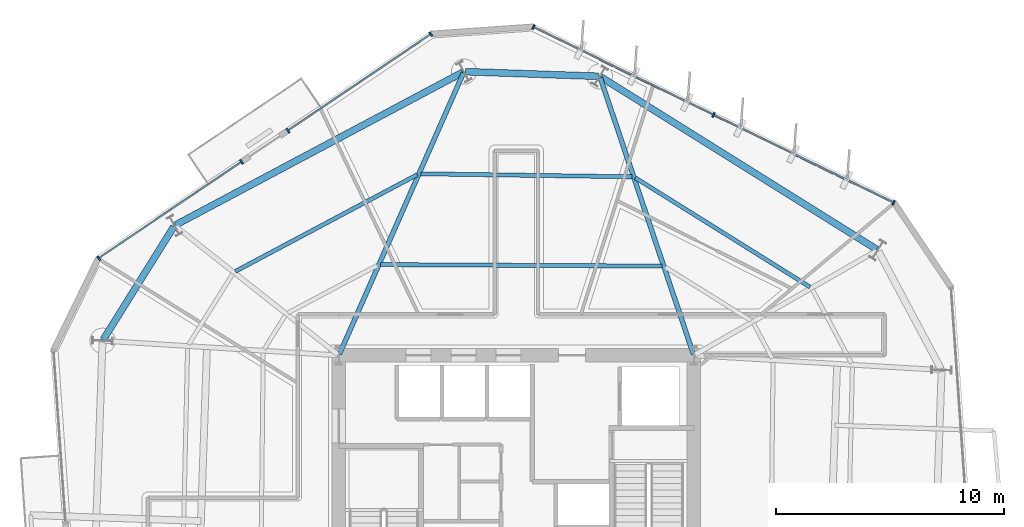
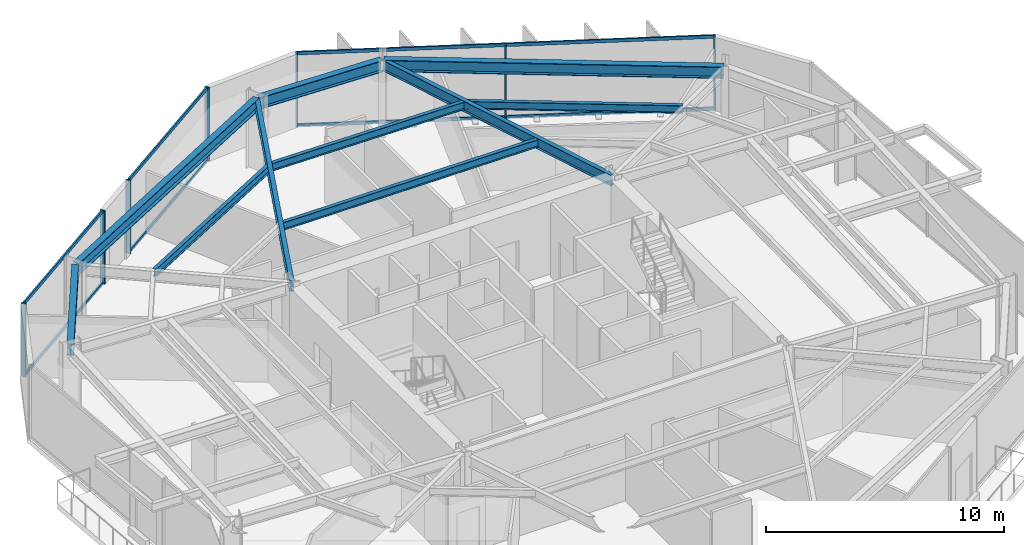
# One storey, part 5 of 14: 15 members, 10 beams, 3 elements without a shape of their own.
"""IFC4 building model written with IfcOpenShell, lengths in metres."""

from ifc_helpers import new_model, si_unit, direction, frame, origin, origin_2d, place, context, subcontext, project, spatial, rectangle, i_section, extrude, material, layer, layer_set, material_profile, profile_set, type_object, element, aggregate, save


model = new_model("IFC4")

# Units and contexts
model_context = context("Model", 3, precision=1e-05, world=origin(), true_north=direction((0.0, 1.0)))
body_context = subcontext(model_context, "Body", "Model", "MODEL_VIEW")
ifc_project = project(units=[si_unit("LENGTHUNIT", "METRE"), si_unit("AREAUNIT", "SQUARE_METRE"), si_unit("VOLUMEUNIT", "CUBIC_METRE"), si_unit("PLANEANGLEUNIT", "RADIAN"), si_unit("MASSUNIT", "GRAM", prefix="KILO")], contexts=[model_context])

# Site, building, storey
site_placement = place(None, origin())
site = spatial("IfcSite", under=ifc_project, at=site_placement, CompositionType="ELEMENT")
building_placement = place(site_placement, origin())
building = spatial("IfcBuilding", under=site, at=building_placement, Name="Kranzbogen Civic Tower", CompositionType="ELEMENT")
storey_placement = place(building_placement, frame((0.0, 0.0, 158.39990234375)))
storey = spatial("IfcBuildingStorey", under=building, at=storey_placement, Name="L38", CompositionType="ELEMENT", Elevation=158.39990234375)

# Curtain wall, members
ifc_material_1 = material(Name="Pale Anodised Aluminium", Category="aluminium")
ifc_layer = layer(ifc_material_1, 0.219970703125, Name="Pale Anodised Aluminium")
ifc_layer_set = layer_set([ifc_layer], Name="Pale Anodised Aluminium")
curtain_wall_type = type_object("IfcCurtainWallType", Name="Zone 2 Stick Curtain Wall System CW-03", PredefinedType="USERDEFINED", material=ifc_layer_set)
curtain_wall_1_placement = place(storey_placement, origin())
curtain_wall_1 = element("IfcCurtainWall", 1, at=curtain_wall_1_placement, inside=storey, type_object=curtain_wall_type, Name="L38 curtain wall CW-L38-F1", ObjectType="STICK CURTAIN WALL", PredefinedType="USERDEFINED")
ifc_material_profile_1 = material_profile(ifc_material_1, rectangle(XDim=0.074951171875, YDim=0.219970703125, at=origin_2d()), Name="ALU-M 75x220")
ifc_profile_set_1 = profile_set([ifc_material_profile_1], Name="Pale Anodised Aluminium")
member_type_1 = type_object("IfcMemberType", Name="Curtain Wall Mullion ALU-M 75x220", PredefinedType="MULLION", material=ifc_profile_set_1)
member_1_placement = place(storey_placement, frame((41.5810546875, 38.9111328125, 0.0), z_axis=(0.0, 0.0, 1.0), x_axis=(-0.8987869382, 0.438385720252, 0.0)))
member_1 = element("IfcMember", 2, at=member_1_placement, type_object=member_type_1, Name="CW-03 mullion 1", PredefinedType="MULLION", context=body_context, shape_type="SweptSolid", body=[
    extrude(rectangle(XDim=0.074951171875, YDim=0.219970703125, at=origin_2d()), origin(), (0.0, 0.0, 1.0), 3.760009765625),
])
member_2_placement = place(storey_placement, frame((33.66748046875, 42.77099609375, 0.0), z_axis=(0.0, 0.0, 1.0), x_axis=(-0.8987869382, 0.438385720252, 0.0)))
member_2 = element("IfcMember", 3, at=member_2_placement, type_object=member_type_1, Name="CW-03 mullion 2", PredefinedType="MULLION", context=body_context, shape_type="SweptSolid", body=[
    extrude(rectangle(XDim=0.074951171875, YDim=0.219970703125, at=origin_2d()), origin(), (0.0, 0.0, 1.0), 3.760009765625),
])
member_3_placement = place(storey_placement, frame((25.75390625, 46.630859375, 0.0), z_axis=(0.0, 0.0, 1.0), x_axis=(-0.8987869382, 0.438385720252, 0.0)))
member_3 = element("IfcMember", 4, at=member_3_placement, type_object=member_type_1, Name="CW-03 mullion 3", PredefinedType="MULLION", context=body_context, shape_type="SweptSolid", body=[
    extrude(rectangle(XDim=0.074951171875, YDim=0.219970703125, at=origin_2d()), origin(), (0.0, 0.0, 1.0), 3.760009765625),
])

curtain_wall_2_placement = place(storey_placement, origin())
curtain_wall_2 = element("IfcCurtainWall", 5, at=curtain_wall_2_placement, inside=storey, type_object=curtain_wall_type, Name="L38 curtain wall CW-L38-F2-S1", ObjectType="STICK CURTAIN WALL", PredefinedType="USERDEFINED")
member_4_placement = place(storey_placement, frame((21.2421875, 46.315185546875, 0.0), z_axis=(0.0, 0.0, 1.0), x_axis=(-0.829035410899, -0.559196108244, 0.0)))
member_4 = element("IfcMember", 6, at=member_4_placement, type_object=member_type_1, Name="CW-03 mullion 1", PredefinedType="MULLION", context=body_context, shape_type="SweptSolid", body=[
    extrude(rectangle(XDim=0.074951171875, YDim=0.219970703125, at=origin_2d()), origin(), (0.0, 0.0, 1.0), 3.760009765625),
])
member_5_placement = place(storey_placement, frame((14.962890625, 42.079833984375, 0.0), z_axis=(0.0, 0.0, 1.0), x_axis=(-0.829035410899, -0.559196108244, 0.0)))
member_5 = element("IfcMember", 7, at=member_5_placement, type_object=member_type_1, Name="CW-03 mullion 2", PredefinedType="MULLION", context=body_context, shape_type="SweptSolid", body=[
    extrude(rectangle(XDim=0.074951171875, YDim=0.219970703125, at=origin_2d()), origin(), (0.0, 0.0, 1.0), 3.760009765625),
])

curtain_wall_3_placement = place(storey_placement, origin())
curtain_wall_3 = element("IfcCurtainWall", 8, at=curtain_wall_3_placement, inside=storey, type_object=curtain_wall_type, Name="L38 curtain wall CW-L38-F2-S2", ObjectType="STICK CURTAIN WALL", PredefinedType="USERDEFINED")
member_6_placement = place(storey_placement, frame((12.924072265625, 40.704345703125, 0.0), z_axis=(0.0, 0.0, 1.0), x_axis=(-0.829035410899, -0.559196108244, 0.0)))
member_6 = element("IfcMember", 9, at=member_6_placement, type_object=member_type_1, Name="CW-03 mullion 1", PredefinedType="MULLION", context=body_context, shape_type="SweptSolid", body=[
    extrude(rectangle(XDim=0.074951171875, YDim=0.219970703125, at=origin_2d()), origin(), (0.0, 0.0, 1.0), 3.760009765625),
])
member_7_placement = place(storey_placement, frame((6.644775390625, 36.46875, 0.0), z_axis=(0.0, 0.0, 1.0), x_axis=(-0.829035410899, -0.559196108244, 0.0)))
member_7 = element("IfcMember", 10, at=member_7_placement, type_object=member_type_1, Name="CW-03 mullion 2", PredefinedType="MULLION", context=body_context, shape_type="SweptSolid", body=[
    extrude(rectangle(XDim=0.074951171875, YDim=0.219970703125, at=origin_2d()), origin(), (0.0, 0.0, 1.0), 3.760009765625),
])

# Member
ifc_material_profile_2 = material_profile(ifc_material_1, rectangle(XDim=0.074951171875, YDim=0.1650390625, at=origin_2d()), Name="ALU-T 75x165")
ifc_profile_set_2 = profile_set([ifc_material_profile_2], Name="Pale Anodised Aluminium")
member_type_2 = type_object("IfcMemberType", Name="Curtain Wall Transom ALU-T 75x165", PredefinedType="USERDEFINED", material=ifc_profile_set_2)
member_8_placement = place(storey_placement, frame((41.553955078125, 38.92431640625, 0.030029296875), z_axis=(-0.898784008077, 0.438391727597, 0.0), x_axis=(-0.438391727597, -0.898784008077, 0.0)))
member_8 = element("IfcMember", 11, at=member_8_placement, type_object=member_type_2, Name="CW-03 transom 1.1", ObjectType="TRANSOM", PredefinedType="USERDEFINED", context=body_context, shape_type="SweptSolid", body=[
    extrude(rectangle(XDim=0.074951171875, YDim=0.1650390625, at=origin_2d()), origin(), (0.0, 0.0, 1.0), 8.744384765625),
])

member_9_placement = place(storey_placement, frame((41.553955078125, 38.92431640625, 3.72998046875), z_axis=(-0.898784008077, 0.438391727597, 0.0), x_axis=(-0.438391727597, -0.898784008077, 0.0)))
member_9 = element("IfcMember", 12, at=member_9_placement, type_object=member_type_2, Name="CW-03 transom 1.2", ObjectType="TRANSOM", PredefinedType="USERDEFINED", context=body_context, shape_type="SweptSolid", body=[
    extrude(rectangle(XDim=0.074951171875, YDim=0.1650390625, at=origin_2d()), origin(), (0.0, 0.0, 1.0), 8.744384765625),
])

member_10_placement = place(storey_placement, frame((33.640625, 42.7841796875, 0.030029296875), z_axis=(-0.898789373645, 0.438380727021, 0.0), x_axis=(-0.438380727021, -0.898789373645, 0.0)))
member_10 = element("IfcMember", 13, at=member_10_placement, type_object=member_type_2, Name="CW-03 transom 2.1", ObjectType="TRANSOM", PredefinedType="USERDEFINED", context=body_context, shape_type="SweptSolid", body=[
    extrude(rectangle(XDim=0.074951171875, YDim=0.1650390625, at=origin_2d()), origin(), (0.0, 0.0, 1.0), 8.74462890625),
])

member_11_placement = place(storey_placement, frame((33.640625, 42.7841796875, 3.72998046875), z_axis=(-0.898789373645, 0.438380727021, 0.0), x_axis=(-0.438380727021, -0.898789373645, 0.0)))
member_11 = element("IfcMember", 14, at=member_11_placement, type_object=member_type_2, Name="CW-03 transom 2.2", ObjectType="TRANSOM", PredefinedType="USERDEFINED", context=body_context, shape_type="SweptSolid", body=[
    extrude(rectangle(XDim=0.074951171875, YDim=0.1650390625, at=origin_2d()), origin(), (0.0, 0.0, 1.0), 8.74462890625),
])

aggregate(curtain_wall_1, [member_1, member_2, member_3, member_8, member_9, member_10, member_11])

member_12_placement = place(storey_placement, frame((21.21728515625, 46.29833984375, 0.030029296875), z_axis=(-0.829033947243, -0.559198278179, 0.0), x_axis=(0.559198278179, -0.829033947243, 0.0)))
member_12 = element("IfcMember", 15, at=member_12_placement, type_object=member_type_2, Name="CW-03 transom 1.1", ObjectType="TRANSOM", PredefinedType="USERDEFINED", context=body_context, shape_type="SweptSolid", body=[
    extrude(rectangle(XDim=0.074951171875, YDim=0.1650390625, at=origin_2d()), origin(), (0.0, 0.0, 1.0), 7.51416015625),
])

member_13_placement = place(storey_placement, frame((21.21728515625, 46.29833984375, 3.72998046875), z_axis=(-0.829033947243, -0.559198278179, 0.0), x_axis=(0.559198278179, -0.829033947243, 0.0)))
member_13 = element("IfcMember", 16, at=member_13_placement, type_object=member_type_2, Name="CW-03 transom 1.2", ObjectType="TRANSOM", PredefinedType="USERDEFINED", context=body_context, shape_type="SweptSolid", body=[
    extrude(rectangle(XDim=0.074951171875, YDim=0.1650390625, at=origin_2d()), origin(), (0.0, 0.0, 1.0), 7.51416015625),
])

aggregate(curtain_wall_2, [member_4, member_5, member_12, member_13])

member_14_placement = place(storey_placement, frame((12.899169921875, 40.6875, 0.030029296875), z_axis=(-0.829033947243, -0.559198278179, 0.0), x_axis=(0.559198278179, -0.829033947243, 0.0)))
member_14 = element("IfcMember", 17, at=member_14_placement, type_object=member_type_2, Name="CW-03 transom 1.1", ObjectType="TRANSOM", PredefinedType="USERDEFINED", context=body_context, shape_type="SweptSolid", body=[
    extrude(rectangle(XDim=0.074951171875, YDim=0.1650390625, at=origin_2d()), origin(), (0.0, 0.0, 1.0), 7.51416015625),
])

member_15_placement = place(storey_placement, frame((12.899169921875, 40.6875, 3.72998046875), z_axis=(-0.829033947243, -0.559198278179, 0.0), x_axis=(0.559198278179, -0.829033947243, 0.0)))
member_15 = element("IfcMember", 18, at=member_15_placement, type_object=member_type_2, Name="CW-03 transom 1.2", ObjectType="TRANSOM", PredefinedType="USERDEFINED", context=body_context, shape_type="SweptSolid", body=[
    extrude(rectangle(XDim=0.074951171875, YDim=0.1650390625, at=origin_2d()), origin(), (0.0, 0.0, 1.0), 7.51416015625),
])

aggregate(curtain_wall_3, [member_6, member_7, member_14, member_15])

# Beams
ifc_material_2 = material(Name="Steel S355", Category="steel")
ifc_material_profile_3 = material_profile(ifc_material_2, i_section(OverallWidth=0.300048828125, OverallDepth=0.60009765625, WebThickness=0.015380859375, FlangeThickness=0.030029296875, at=origin_2d()), Name="HEB 600")
ifc_profile_set_3 = profile_set([ifc_material_profile_3], Name="Steel S355")
beam_type_1 = type_object("IfcBeamType", Name="Perimeter Tube Spandrel Beam HEB 600", PredefinedType="SPANDREL", material=ifc_profile_set_3)
beam_1_placement = place(storey_placement, frame((40.8349609375, 36.861083984375, 3.460205078125), z_axis=(-0.848051101349, 0.52991445489, 0.0), x_axis=(-0.52991445489, -0.848051101349, 0.0)))
element("IfcBeam", 19, at=beam_1_placement, inside=storey, type_object=beam_type_1, Name="L38 perimeter spandrel beam 08", PredefinedType="SPANDREL", context=body_context, shape_type="SweptSolid", body=[
    extrude(i_section(OverallWidth=0.300048828125, OverallDepth=0.60009765625, WebThickness=0.015380859375, FlangeThickness=0.030029296875, at=origin_2d()), origin(), (0.0, 0.0, 1.0), 14.286865234375),
])
beam_2_placement = place(storey_placement, frame((28.60791015625, 44.466064453125, 3.460205078125), z_axis=(-0.999393148233, 0.03483296234, 0.0), x_axis=(-0.03483296234, -0.999393148233, 0.0)))
element("IfcBeam", 20, at=beam_2_placement, inside=storey, type_object=beam_type_1, Name="L38 perimeter spandrel beam 09", PredefinedType="SPANDREL", context=body_context, shape_type="SweptSolid", body=[
    extrude(i_section(OverallWidth=0.300048828125, OverallDepth=0.60009765625, WebThickness=0.015380859375, FlangeThickness=0.030029296875, at=origin_2d()), origin(), (0.0, 0.0, 1.0), 5.8525390625),
])
beam_3_placement = place(storey_placement, frame((22.64599609375, 44.64404296875, 3.460205078125), z_axis=(-0.882948194046, -0.469470432116, 0.0), x_axis=(0.469470432116, -0.882948194046, 0.0)))
element("IfcBeam", 21, at=beam_3_placement, inside=storey, type_object=beam_type_1, Name="L38 perimeter spandrel beam 10", PredefinedType="SPANDREL", context=body_context, shape_type="SweptSolid", body=[
    extrude(i_section(OverallWidth=0.300048828125, OverallDepth=0.60009765625, WebThickness=0.015380859375, FlangeThickness=0.030029296875, at=origin_2d()), origin(), (0.0, 0.0, 1.0), 14.28857421875),
])
beam_4_placement = place(storey_placement, frame((9.945068359375, 37.85693359375, 3.460205078125), z_axis=(-0.529863902903, -0.848082687242, 0.0), x_axis=(0.848082687242, -0.529863902903, 0.0)))
element("IfcBeam", 22, at=beam_4_placement, inside=storey, type_object=beam_type_1, Name="L38 perimeter spandrel beam 11", PredefinedType="SPANDREL", context=body_context, shape_type="SweptSolid", body=[
    extrude(i_section(OverallWidth=0.300048828125, OverallDepth=0.60009765625, WebThickness=0.015380859375, FlangeThickness=0.030029296875, at=origin_2d()), origin(), (0.0, 0.0, 1.0), 5.850830078125),
])
ifc_material_profile_4 = material_profile(ifc_material_2, i_section(OverallWidth=0.2099609375, OverallDepth=0.550048828125, WebThickness=0.010986328125, FlangeThickness=0.01708984375, at=origin_2d()), Name="IPE 550")
ifc_profile_set_4 = profile_set([ifc_material_profile_4], Name="Steel S355")
beam_type_2 = type_object("IfcBeamType", Name="Radial Tower Floor Girder IPE 550", PredefinedType="BEAM", material=ifc_profile_set_4)
beam_5_placement = place(storey_placement, frame((28.68701171875, 44.406982421875, 3.485107421875), z_axis=(0.319316617377, -0.947648087566, 0.0), x_axis=(0.947648087566, 0.319316617377, 0.0)))
element("IfcBeam", 23, at=beam_5_placement, inside=storey, type_object=beam_type_2, Name="L38 radial floor girder 09", PredefinedType="BEAM", context=body_context, shape_type="SweptSolid", body=[
    extrude(i_section(OverallWidth=0.2099609375, OverallDepth=0.550048828125, WebThickness=0.010986328125, FlangeThickness=0.01708984375, at=origin_2d()), origin(), (0.0, 0.0, 1.0), 12.821044921875),
])
beam_6_placement = place(storey_placement, frame((22.675048828125, 44.616943359375, 3.485107421875), z_axis=(-0.403459127705, -0.914997667905, 0.0), x_axis=(0.914997667905, -0.403459127705, 0.0)))
element("IfcBeam", 24, at=beam_6_placement, inside=storey, type_object=beam_type_2, Name="L38 radial floor girder 10", PredefinedType="BEAM", context=body_context, shape_type="SweptSolid", body=[
    extrude(i_section(OverallWidth=0.2099609375, OverallDepth=0.550048828125, WebThickness=0.010986328125, FlangeThickness=0.01708984375, at=origin_2d()), origin(), (0.0, 0.0, 1.0), 13.510498046875),
])
ifc_material_profile_5 = material_profile(ifc_material_2, i_section(OverallWidth=0.179931640625, OverallDepth=0.39990234375, WebThickness=0.008544921875, FlangeThickness=0.013427734375, at=origin_2d()), Name="IPE 400")
ifc_profile_set_5 = profile_set([ifc_material_profile_5], Name="Steel S355")
beam_type_3 = type_object("IfcBeamType", Name="Secondary Composite Floor Joist IPE 400", PredefinedType="JOIST", material=ifc_profile_set_5)
beam_7_placement = place(storey_placement, frame((37.906982421875, 35.205078125, 3.56005859375), z_axis=(-0.848025549308, 0.529955345026, 0.0), x_axis=(-0.529955345026, -0.848025549308, 0.0)))
element("IfcBeam", 25, at=beam_7_placement, inside=storey, type_object=beam_type_3, Name="L38 secondary floor joist 1.08", PredefinedType="JOIST", context=body_context, shape_type="SweptSolid", body=[
    extrude(i_section(OverallWidth=0.179931640625, OverallDepth=0.39990234375, WebThickness=0.008544921875, FlangeThickness=0.013427734375, at=origin_2d()), origin(), (0.0, 0.0, 1.0), 9.06103515625),
])
beam_8_placement = place(storey_placement, frame((30.075927734375, 40.050048828125, 3.56005859375), z_axis=(-0.999900525148, 0.014104602386, 0.0), x_axis=(-0.014104602386, -0.999900525148, 0.0)))
element("IfcBeam", 26, at=beam_8_placement, inside=storey, type_object=beam_type_3, Name="L38 secondary floor joist 1.09", PredefinedType="JOIST", context=body_context, shape_type="SweptSolid", body=[
    extrude(i_section(OverallWidth=0.179931640625, OverallDepth=0.39990234375, WebThickness=0.008544921875, FlangeThickness=0.013427734375, at=origin_2d()), origin(), (0.0, 0.0, 1.0), 9.27783203125),
])
beam_9_placement = place(storey_placement, frame((31.39794921875, 36.125, 3.56005859375), z_axis=(-0.999985774147, 0.005333995002, 0.0), x_axis=(-0.005333995002, -0.999985774147, 0.0)))
element("IfcBeam", 27, at=beam_9_placement, inside=storey, type_object=beam_type_3, Name="L38 secondary floor joist 2.09", PredefinedType="JOIST", context=body_context, shape_type="SweptSolid", body=[
    extrude(i_section(OverallWidth=0.179931640625, OverallDepth=0.39990234375, WebThickness=0.008544921875, FlangeThickness=0.013427734375, at=origin_2d()), origin(), (0.0, 0.0, 1.0), 12.358154296875),
])
beam_10_placement = place(storey_placement, frame((20.64892578125, 40.14501953125, 3.56005859375), z_axis=(-0.882960787661, -0.469446746131, 0.0), x_axis=(0.469446746131, -0.882960787661, 0.0)))
element("IfcBeam", 28, at=beam_10_placement, inside=storey, type_object=beam_type_3, Name="L38 secondary floor joist 1.10", PredefinedType="JOIST", context=body_context, shape_type="SweptSolid", body=[
    extrude(i_section(OverallWidth=0.179931640625, OverallDepth=0.39990234375, WebThickness=0.008544921875, FlangeThickness=0.013427734375, at=origin_2d()), origin(), (0.0, 0.0, 1.0), 9.0615234375),
])

save(model, "model.ifc")
